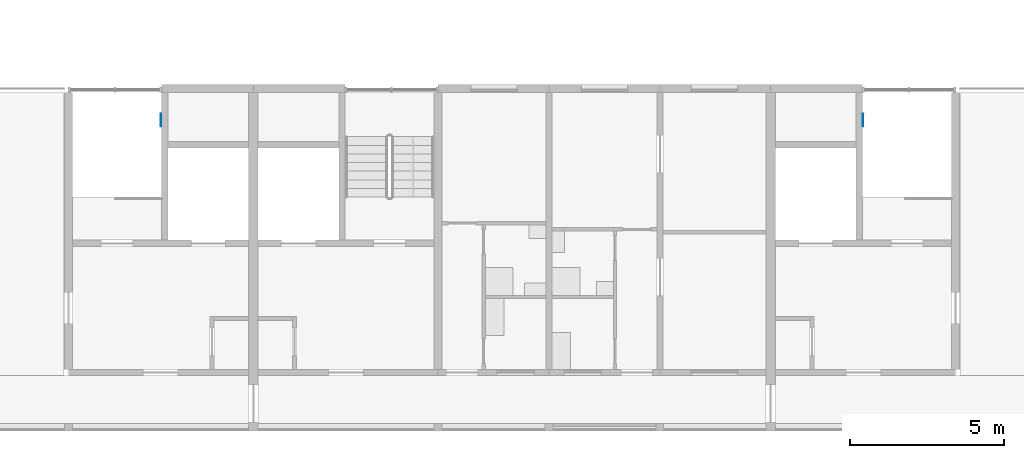
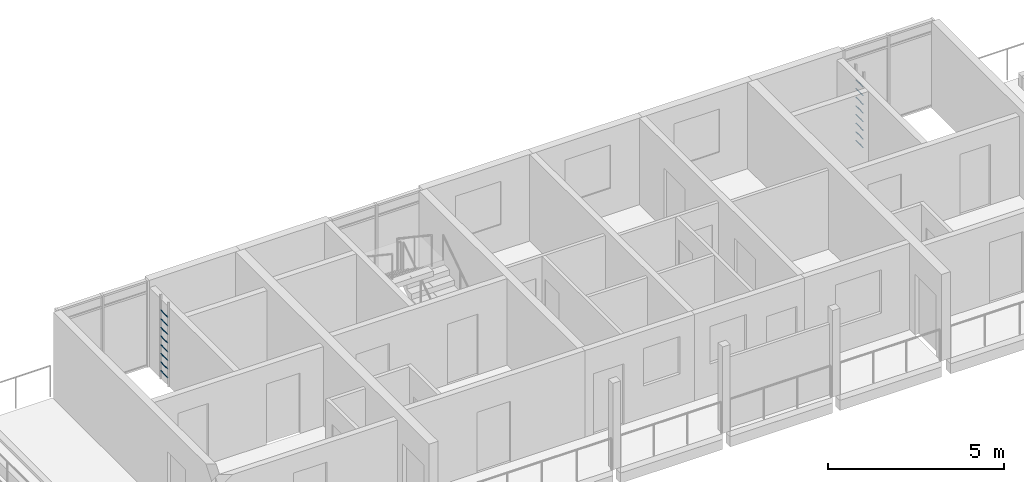
# One storey, part 28 of 87: 16 members.
"""IFC4 building model written with IfcOpenShell, lengths in metres."""

from ifc_helpers import new_model, si_unit, direction, frame, origin, origin_2d, place, context, subcontext, project, spatial, circle, extrude, material, material_profile, profile_set, type_object, element, save


model = new_model("IFC4")

# Units and contexts
model_context = context("Model", 3, precision=1e-05, world=origin(), true_north=direction((0.0, 1.0)))
body_context = subcontext(model_context, "Body", "Model", "MODEL_VIEW")
ifc_project = project(units=[si_unit("LENGTHUNIT", "METRE"), si_unit("AREAUNIT", "SQUARE_METRE"), si_unit("VOLUMEUNIT", "CUBIC_METRE"), si_unit("PLANEANGLEUNIT", "RADIAN"), si_unit("MASSUNIT", "GRAM", prefix="KILO")], contexts=[model_context])

# Site, building, storey
site_placement = place(None, origin())
site = spatial("IfcSite", under=ifc_project, at=site_placement, CompositionType="ELEMENT")
building_placement = place(site_placement, origin())
building = spatial("IfcBuilding", under=site, at=building_placement, Name="Ridgestep Commons", CompositionType="ELEMENT")
storey_placement = place(building_placement, frame((0.0, 0.0, 27.0)))
storey = spatial("IfcBuildingStorey", under=building, at=storey_placement, Name="L09", CompositionType="ELEMENT", Elevation=27.0)

# Members
ifc_material = material(Name="Structural steel S355JR", Category="steel")
ifc_material_profile = material_profile(ifc_material, circle(Radius=0.010009765625, at=origin_2d()), Name="Round bar 20")
ifc_profile_set = profile_set([ifc_material_profile], Name="Structural steel S355JR")
member_type = type_object("IfcMemberType", Name="Core ladder rung 20", PredefinedType="STRINGER", material=ifc_profile_set)
for number, where, z_axis, x_axis, name in (
    (1, (177.39990234375, 75.89990234375, 0.300048828125), (0.0, 1.0, 0.0), (-1.0, 0.0, 0.0), "Ladder rung C2C.1"),
    (2, (177.39990234375, 75.89990234375, 0.60009765625), (0.0, 1.0, 0.0), (-1.0, 0.0, 0.0), "Ladder rung C2C.2"),
    (3, (177.39990234375, 75.89990234375, 0.89990234375), (0.0, 1.0, 0.0), (-1.0, 0.0, 0.0), "Ladder rung C2C.3"),
    (4, (177.39990234375, 75.89990234375, 1.199951171875), (0.0, 1.0, 0.0), (-1.0, 0.0, 0.0), "Ladder rung C2C.4"),
    (5, (177.39990234375, 75.89990234375, 1.5), (0.0, 1.0, 0.0), (-1.0, 0.0, 0.0), "Ladder rung C2C.5"),
    (6, (177.39990234375, 75.89990234375, 1.800048828125), (0.0, 1.0, 0.0), (-1.0, 0.0, 0.0), "Ladder rung C2C.6"),
    (7, (177.39990234375, 75.89990234375, 2.10009765625), (0.0, 1.0, 0.0), (-1.0, 0.0, 0.0), "Ladder rung C2C.7"),
    (8, (177.39990234375, 75.89990234375, 2.39990234375), (0.0, 1.0, 0.0), (-1.0, 0.0, 0.0), "Ladder rung C2C.8"),
    (9, (200.199951171875, 75.89990234375, 0.300048828125), (0.0, 1.0, 0.0), (-1.0, 0.0, 0.0), "Ladder rung C4C.1"),
    (10, (200.199951171875, 75.89990234375, 0.60009765625), (0.0, 1.0, 0.0), (-1.0, 0.0, 0.0), "Ladder rung C4C.2"),
    (11, (200.199951171875, 75.89990234375, 0.89990234375), (0.0, 1.0, 0.0), (-1.0, 0.0, 0.0), "Ladder rung C4C.3"),
    (12, (200.199951171875, 75.89990234375, 1.199951171875), (0.0, 1.0, 0.0), (-1.0, 0.0, 0.0), "Ladder rung C4C.4"),
    (13, (200.199951171875, 75.89990234375, 1.5), (0.0, 1.0, 0.0), (-1.0, 0.0, 0.0), "Ladder rung C4C.5"),
    (14, (200.199951171875, 75.89990234375, 1.800048828125), (0.0, 1.0, 0.0), (-1.0, 0.0, 0.0), "Ladder rung C4C.6"),
    (15, (200.199951171875, 75.89990234375, 2.10009765625), (0.0, 1.0, 0.0), (-1.0, 0.0, 0.0), "Ladder rung C4C.7"),
    (16, (200.199951171875, 75.89990234375, 2.39990234375), (0.0, 1.0, 0.0), (-1.0, 0.0, 0.0), "Ladder rung C4C.8"),
):
    element("IfcMember", number, at=place(storey_placement, frame(where, z_axis=z_axis, x_axis=x_axis)), inside=storey, type_object=member_type, Name=name, PredefinedType="STRINGER", context=body_context, shape_type="SweptSolid", body=[
        extrude(circle(Radius=0.010009765625, at=origin_2d()), origin(), (0.0, 0.0, 1.0), 0.400146484375),
    ])

save(model, "model.ifc")
